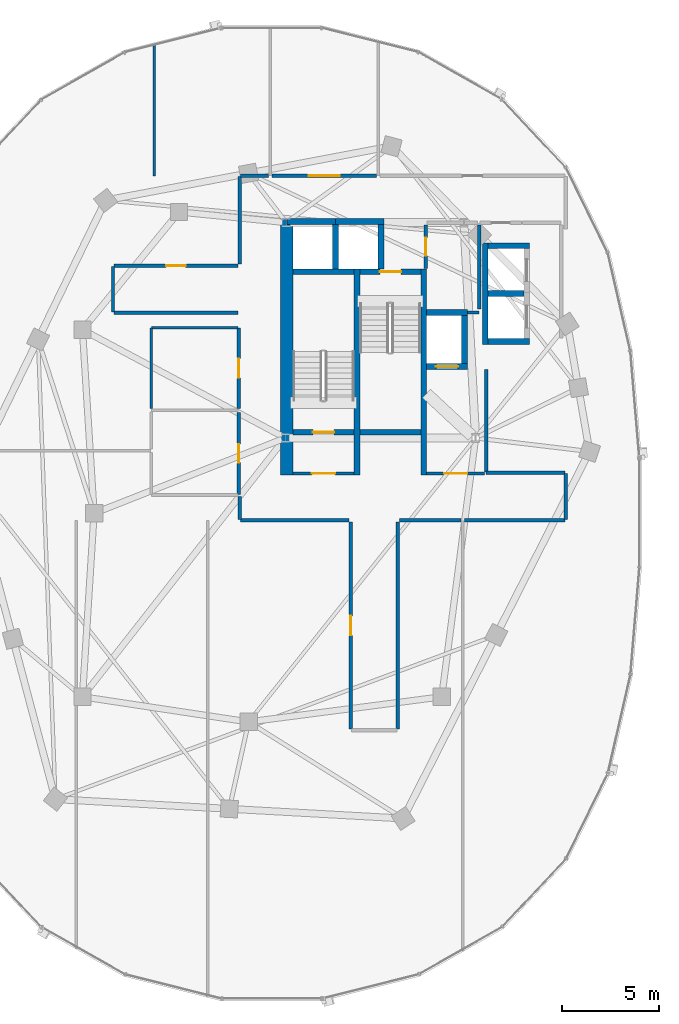
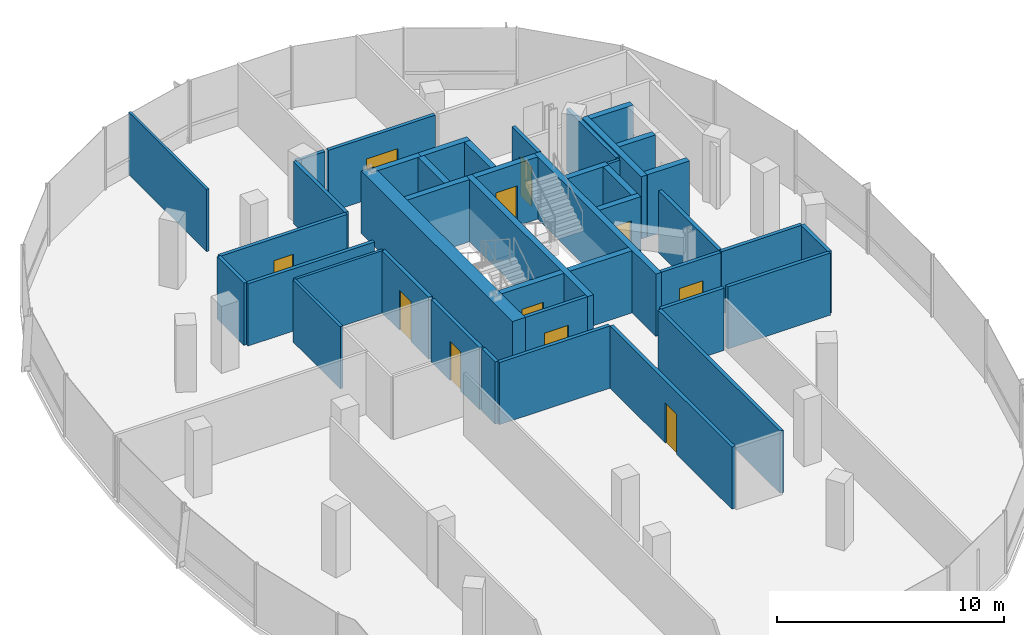
# One storey, part 15 of 25: 43 walls, 11 doors, 11 openings.
"""IFC4 building model written with IfcOpenShell, lengths in metres."""

import ifcopenshell
import ifcopenshell.guid

model = None  # the IFC model being written
_history = None  # IfcOwnerHistory: only IFC2X3 demands one
_inside = {}  # id of a spatial element -> (the spatial element, [elements in it])
_under = {}  # id of a project, library or spatial element -> (it, [spatial elements below it])
_declared = {}  # id of a project -> (the project, [libraries it declares])
_typed = {}  # id of a type object -> (the type object, [elements of that type])
_made_of = {}  # id of a material, layer set ... -> (it, [elements and type objects made of it])


def new_model(schema):
    """Start an empty IFC model of exactly this schema.

    Asked for "IFC4X3", IfcOpenShell would pick the latest addendum, in which some entities
    have other attributes; the version numbers below select the first issue.
    IFC2X3 requires an IfcOwnerHistory on every rooted entity: one is made here for all.
    """
    global model, _history
    if schema == "IFC4X3":
        model = ifcopenshell.file(schema_version=(4, 3, 0, 0))
    else:
        model = ifcopenshell.file(schema=schema)
    _inside.clear()
    _under.clear()
    _declared.clear()
    _typed.clear()
    _made_of.clear()
    _history = None
    if model.schema == "IFC2X3":
        org = make("IfcOrganization", Name="unknown")
        user = make(
            "IfcPersonAndOrganization",
            ThePerson=make("IfcPerson", FamilyName="unknown"),
            TheOrganization=org,
        )
        app = make(
            "IfcApplication",
            ApplicationDeveloper=org,
            Version="unknown",
            ApplicationFullName="unknown",
            ApplicationIdentifier="unknown",
        )
        _history = make(
            "IfcOwnerHistory",
            OwningUser=user,
            OwningApplication=app,
            ChangeAction="ADDED",
            CreationDate=0,
        )
    return model


def make(cls, **values):
    """One entity of the class cls with the attributes given. An attribute that is None is left unset."""
    return model.create_entity(
        cls, **{name: value for name, value in values.items() if value is not None}
    )


def rooted(cls, **values):
    """An entity with a GlobalId (a new one), such as an element, a storey or a relation."""
    return make(cls, GlobalId=ifcopenshell.guid.new(), OwnerHistory=_history, **values)


def si_unit(unit_type, name, prefix=None):
    """IfcSIUnit, for example si_unit("LENGTHUNIT", "METRE", prefix="MILLI")."""
    return make("IfcSIUnit", UnitType=unit_type, Prefix=prefix, Name=name)


def assignment(units):
    """IfcUnitAssignment: the units of a project."""
    return None if units is None else make("IfcUnitAssignment", Units=units)


def point(xyz):
    """IfcCartesianPoint."""
    return None if xyz is None else make("IfcCartesianPoint", Coordinates=xyz)


def direction(xyz):
    """IfcDirection."""
    return None if xyz is None else make("IfcDirection", DirectionRatios=xyz)


def frame(location, z_axis=None, x_axis=None):
    """IfcAxis2Placement3D, a coordinate frame: its origin and axes. An axis left out is left unset."""
    return make(
        "IfcAxis2Placement3D",
        Location=point(location),
        Axis=direction(z_axis),
        RefDirection=direction(x_axis),
    )


def frame_2d(location, x_axis=None):
    """IfcAxis2Placement2D, a coordinate frame in the plane: its origin and x axis."""
    return make(
        "IfcAxis2Placement2D", Location=point(location), RefDirection=direction(x_axis)
    )


def origin():
    """The frame at (0, 0, 0) with its axes left unset."""
    return frame((0.0, 0.0, 0.0))


def place(relative_to, where):
    """IfcLocalPlacement: puts the frame where relative to a parent placement (None: the world)."""
    return make(
        "IfcLocalPlacement", PlacementRelTo=relative_to, RelativePlacement=where
    )


def context(
    kind, dimensions, precision=None, world=None, true_north=None, identifier=None
):
    """IfcGeometricRepresentationContext, for example the 3D "Model" context."""
    return make(
        "IfcGeometricRepresentationContext",
        ContextIdentifier=identifier,
        ContextType=kind,
        CoordinateSpaceDimension=dimensions,
        Precision=precision,
        WorldCoordinateSystem=world,
        TrueNorth=true_north,
    )


def subcontext(parent, identifier, kind, view, scale=None):
    """IfcGeometricRepresentationSubContext, for example "Body" below "Model"."""
    return make(
        "IfcGeometricRepresentationSubContext",
        ContextIdentifier=identifier,
        ContextType=kind,
        ParentContext=parent,
        TargetScale=scale,
        TargetView=view,
    )


def project(units=None, contexts=None):
    """IfcProject with its units and contexts."""
    return rooted(
        "IfcProject",
        Name="project",
        RepresentationContexts=contexts,
        UnitsInContext=assignment(units),
    )


def spatial(cls, under=None, at=None, **own):
    """A site, building, storey or space (cls), placed at a placement, below another one or the project."""
    s = rooted(cls, ObjectPlacement=at, **own)
    if under is not None:
        _under.setdefault(under.id(), (under, []))[1].append(s)
    return s


def profile(cls, at=None, kind="AREA", **sizes):
    """A parametric profile (cls). Its sizes go by their IFC names, for example OverallWidth=200.0."""
    return make(cls, ProfileType=kind, Position=at, **sizes)


def rectangle(**sizes):
    """IfcRectangleProfileDef."""
    return profile("IfcRectangleProfileDef", **sizes)


def extrude(swept, where, along, depth):
    """IfcExtrudedAreaSolid: the profile swept, set in the frame where, extruded along a direction by depth."""
    return make(
        "IfcExtrudedAreaSolid",
        SweptArea=swept,
        Position=where,
        ExtrudedDirection=direction(along),
        Depth=depth,
    )


def shape(context_of_items, identifier, shape_type, items):
    """IfcShapeRepresentation: the items that make up one representation, for example the "Body"."""
    return make(
        "IfcShapeRepresentation",
        ContextOfItems=context_of_items,
        RepresentationIdentifier=identifier,
        RepresentationType=shape_type,
        Items=items,
    )


def material(Name=None, Category=None):
    """IfcMaterial."""
    return make("IfcMaterial", Name=Name, Category=Category)


def layer(
    of_material, thickness, ventilated=None, Name=None, Category=None, Priority=None
):
    """IfcMaterialLayer: one layer of a wall or slab, of a material (None: an air gap)."""
    return make(
        "IfcMaterialLayer",
        Material=of_material,
        LayerThickness=thickness,
        IsVentilated=ventilated,
        Name=Name,
        Category=Category,
        Priority=Priority,
    )


def layer_set(layers, Name=None):
    """IfcMaterialLayerSet."""
    return make("IfcMaterialLayerSet", MaterialLayers=layers, LayerSetName=Name)


def made_of(thing, what):
    """Note that an element or type object is made of a material, layer set ...; save() writes the relation."""
    if what is not None:
        _made_of.setdefault(what.id(), (what, []))[1].append(thing)
    return thing


def type_object(cls, material=None, **own):
    """A type object (cls), such as IfcWallType, which elements share."""
    return made_of(rooted(cls, **own), material)


def element(
    cls,
    number,
    at=None,
    inside=None,
    cuts=None,
    type_object=None,
    material=None,
    context=None,
    identifier="Body",
    shape_type=None,
    held_by="IfcProductDefinitionShape",
    body=None,
    shapes=None,
    **own,
):
    """One element of the class cls, such as IfcWall. Its Tag is "e" and its number.

    at: its placement. inside: the storey or other place that contains it. cuts: it is an
    opening in that element (IfcRelVoidsElement). A single representation is given by context,
    identifier, shape_type and body (its items); several are given by shapes. held_by: the class
    of the entity that holds the representations. save() writes the other relations.
    """
    e = rooted(cls, Tag="e%d" % number, ObjectPlacement=at, **own)
    if body is not None:
        shapes = [shape(context, identifier, shape_type, body)]
    if shapes is not None:
        e.Representation = make(held_by, Representations=shapes)
    if inside is not None:
        _inside.setdefault(inside.id(), (inside, []))[1].append(e)
    if cuts is not None:
        rooted(
            "IfcRelVoidsElement", RelatingBuildingElement=cuts, RelatedOpeningElement=e
        )
    if type_object is not None:
        _typed.setdefault(type_object.id(), (type_object, []))[1].append(e)
    return made_of(e, material)


def fill(opening, filler):
    """IfcRelFillsElement: the door or window that sits in an opening."""
    return rooted(
        "IfcRelFillsElement",
        RelatingOpeningElement=opening,
        RelatedBuildingElement=filler,
    )


def aggregate(whole, parts):
    """IfcRelAggregates: a whole, such as a stair, and the parts it consists of."""
    return rooted("IfcRelAggregates", RelatingObject=whole, RelatedObjects=parts)


def save(model, path):
    """Write the relations noted so far, then the file.

    IfcRelAggregates (storeys below a building ...), IfcRelContainedInSpatialStructure (elements
    in a storey), IfcRelDefinesByType, IfcRelAssociatesMaterial and IfcRelDeclares: one each for
    every whole, place, type object, material and project.
    """
    for whole, parts in _under.values():
        aggregate(whole, parts)
    for where, things in _inside.values():
        rooted(
            "IfcRelContainedInSpatialStructure",
            RelatedElements=things,
            RelatingStructure=where,
        )
    for kind, things in _typed.values():
        rooted("IfcRelDefinesByType", RelatedObjects=things, RelatingType=kind)
    for what, things in _made_of.values():
        rooted("IfcRelAssociatesMaterial", RelatedObjects=things, RelatingMaterial=what)
    for by, libraries in _declared.values():
        rooted("IfcRelDeclares", RelatingContext=by, RelatedDefinitions=libraries)
    model.write(path)


model = new_model("IFC4")

# Units and contexts
model_context = context("Model", 3, precision=1e-05, world=origin(), true_north=direction((0.0, 1.0)))
body_context = subcontext(model_context, "Body", "Model", "MODEL_VIEW")
ifc_project = project(units=[si_unit("LENGTHUNIT", "METRE"), si_unit("AREAUNIT", "SQUARE_METRE"), si_unit("VOLUMEUNIT", "CUBIC_METRE"), si_unit("PLANEANGLEUNIT", "RADIAN"), si_unit("MASSUNIT", "GRAM", prefix="KILO"), si_unit("THERMODYNAMICTEMPERATUREUNIT", "KELVIN"), si_unit("POWERUNIT", "WATT")], contexts=[model_context])

# Site, building, storey
site_placement = place(None, origin())
site = spatial("IfcSite", under=ifc_project, at=site_placement, CompositionType="ELEMENT")
building_placement = place(site_placement, origin())
building = spatial("IfcBuilding", under=site, at=building_placement, Name="Cundina Bronze Exchange", CompositionType="ELEMENT")
storey_placement = place(building_placement, frame((0.0, 0.0, 199.0)))
storey = spatial("IfcBuildingStorey", under=building, at=storey_placement, Name="L52", CompositionType="ELEMENT", Elevation=199.0)

# Wall
ifc_material_1 = material(Name="Gypsum Fireboard Partition EI120")
ifc_layer_1 = layer(ifc_material_1, 0.179931640625, Name="Gypsum Fireboard Partition EI120")
ifc_layer_set_1 = layer_set([ifc_layer_1], Name="Gypsum Fireboard Partition EI120")
wall_type_1 = type_object("IfcWallType", Name="WL-COR-180", PredefinedType="PARTITIONING", material=ifc_layer_set_1)
wall_1_placement = place(storey_placement, frame((-20.889892578125, 2.14990234375, 0.0), z_axis=(0.0, 0.0, 1.0), x_axis=(0.0, 1.0, 0.0)))
element("IfcWall", 1, at=wall_1_placement, inside=storey, type_object=wall_type_1, Name="L52 W Firefighting Lobby Side Wall", PredefinedType="PARTITIONING", context=body_context, shape_type="SweptSolid", body=[
    extrude(rectangle(XDim=5.300048828125, YDim=0.179931640625, at=frame_2d((2.64990234375, 0.0))), origin(), (0.0, 0.0, 1.0), 3.340087890625),
])

# Wall, opening, door
wall_2_placement = place(storey_placement, frame((-23.97998046875, 2.06005859375, 0.0), z_axis=(0.0, 0.0, 1.0), x_axis=(1.0, 0.0, 0.0)))
wall_2 = element("IfcWall", 2, at=wall_2_placement, inside=storey, type_object=wall_type_1, Name="L52 W Firefighting Lobby Exit Wall", PredefinedType="PARTITIONING", context=body_context, shape_type="SweptSolid", body=[
    extrude(rectangle(XDim=3.0, YDim=0.179931640625, at=frame_2d((1.5, 0.0))), origin(), (0.0, 0.0, 1.0), 3.340087890625),
])
opening_1_placement = place(wall_2_placement, frame((0.89990234375, 0.0, 0.0)))
opening_1 = element("IfcOpeningElement", 3, at=opening_1_placement, cuts=wall_2, Name="Opening DF-01", PredefinedType="OPENING", context=body_context, shape_type="SweptSolid", body=[
    extrude(rectangle(XDim=1.199951171875, YDim=2.14990234375, at=frame_2d((0.60009765625, 1.074951171875))), frame((0.0, 0.099853515625, 0.0), z_axis=(0.0, -1.0, 0.0), x_axis=(1.0, 0.0, 0.0)), (0.0, 0.0, 1.0), 0.199951171875),
])
ifc_material_2 = material(Name="Steel ASTM A36 Painted", Category="steel")
door_type_1 = type_object("IfcDoorType", Name="DR-FFL-1200", OperationType="NOTDEFINED", PredefinedType="DOOR", material=ifc_material_2)
door_1_placement = place(opening_1_placement, origin())
door_1 = element("IfcDoor", 4, at=door_1_placement, inside=storey, type_object=door_type_1, Name="L52 W Firefighting Lobby Door", OperationType="SINGLE_SWING_RIGHT", OverallHeight=2.14990234375, OverallWidth=1.199951171875, PredefinedType="DOOR", context=body_context, shape_type="SweptSolid", body=[
    extrude(rectangle(XDim=1.199951171875, YDim=2.14990234375, at=frame_2d((0.60009765625, 1.074951171875))), frame((0.0, 0.02490234375, 0.0), z_axis=(0.0, -1.0, 0.0), x_axis=(1.0, 0.0, 0.0)), (0.0, 0.0, 1.0), 0.050048828125),
])
fill(opening_1, door_1)

wall_3_placement = place(storey_placement, frame((-30.89990234375, 2.06005859375, 0.0), z_axis=(0.0, 0.0, 1.0), x_axis=(1.0, 0.0, 0.0)))
wall_3 = element("IfcWall", 5, at=wall_3_placement, inside=storey, type_object=wall_type_1, Name="L52 W Stair Vestibule Exit Wall", PredefinedType="PARTITIONING", context=body_context, shape_type="SweptSolid", body=[
    extrude(rectangle(XDim=3.159912109375, YDim=0.179931640625, at=frame_2d((1.580078125, 0.0))), origin(), (0.0, 0.0, 1.0), 3.340087890625),
])
opening_2_placement = place(wall_3_placement, frame((0.97998046875, 0.0, 0.0)))
opening_2 = element("IfcOpeningElement", 6, at=opening_2_placement, cuts=wall_3, Name="Opening DF-01", PredefinedType="OPENING", context=body_context, shape_type="SweptSolid", body=[
    extrude(rectangle(XDim=1.199951171875, YDim=2.14990234375, at=frame_2d((0.60009765625, 1.074951171875))), frame((0.0, 0.099853515625, 0.0), z_axis=(0.0, -1.0, 0.0), x_axis=(1.0, 0.0, 0.0)), (0.0, 0.0, 1.0), 0.199951171875),
])
door_2_placement = place(opening_2_placement, origin())
door_2 = element("IfcDoor", 7, at=door_2_placement, inside=storey, type_object=door_type_1, Name="L52 W Stair Vestibule Door", OperationType="SINGLE_SWING_LEFT", OverallHeight=2.14990234375, OverallWidth=1.199951171875, PredefinedType="DOOR", context=body_context, shape_type="SweptSolid", body=[
    extrude(rectangle(XDim=1.199951171875, YDim=2.14990234375, at=frame_2d((0.60009765625, 1.074951171875))), frame((0.0, 0.02490234375, 0.0), z_axis=(0.0, -1.0, 0.0), x_axis=(1.0, 0.0, 0.0)), (0.0, 0.0, 1.0), 0.050048828125),
])
fill(opening_2, door_2)

# Wall
wall_4_placement = place(storey_placement, frame((-21.25, 10.570068359375, 0.0), z_axis=(0.0, 0.0, 1.0), x_axis=(0.0, 1.0, 0.0)))
element("IfcWall", 8, at=wall_4_placement, inside=storey, type_object=wall_type_1, Name="L52 Interior Partition 005", PredefinedType="PARTITIONING", context=body_context, shape_type="SweptSolid", body=[
    extrude(rectangle(XDim=4.35986328125, YDim=0.179931640625, at=frame_2d((2.179931640625, 0.0))), origin(), (0.0, 0.0, 1.0), 3.340087890625),
])

# Wall, opening, door
wall_5_placement = place(storey_placement, frame((-24.02001953125, 12.669921875, 0.0), z_axis=(0.0, 0.0, 1.0), x_axis=(0.0, 1.0, 0.0)))
wall_5 = element("IfcWall", 9, at=wall_5_placement, inside=storey, type_object=wall_type_1, Name="L52 Interior Partition 007", PredefinedType="PARTITIONING", context=body_context, shape_type="SweptSolid", body=[
    extrude(rectangle(XDim=2.260009765625, YDim=0.179931640625, at=frame_2d((1.1298828125, 0.0))), origin(), (0.0, 0.0, 1.0), 3.340087890625),
])
opening_3_placement = place(wall_5_placement, frame((0.655029296875, 0.0, 0.0)))
opening_3 = element("IfcOpeningElement", 10, at=opening_3_placement, cuts=wall_5, Name="Opening DW-01", PredefinedType="OPENING", context=body_context, shape_type="SweptSolid", body=[
    extrude(rectangle(XDim=0.949951171875, YDim=2.10009765625, at=frame_2d((0.47509765625, 1.050048828125))), frame((0.0, 0.099853515625, 0.0), z_axis=(0.0, -1.0, 0.0), x_axis=(1.0, 0.0, 0.0)), (0.0, 0.0, 1.0), 0.199951171875),
])
ifc_material_3 = material(Name="Solid Andean Oak Timber Grade A", Category="wood")
door_type_2 = type_object("IfcDoorType", Name="DR-WC-950", OperationType="NOTDEFINED", PredefinedType="DOOR", material=ifc_material_3)
door_3_placement = place(opening_3_placement, origin())
door_3 = element("IfcDoor", 11, at=door_3_placement, inside=storey, type_object=door_type_2, Name="L52 Interior Door 007", OperationType="SINGLE_SWING_LEFT", OverallHeight=2.10009765625, OverallWidth=0.949951171875, PredefinedType="DOOR", context=body_context, shape_type="SweptSolid", body=[
    extrude(rectangle(XDim=0.949951171875, YDim=2.10009765625, at=frame_2d((0.47509765625, 1.050048828125))), frame((0.0, 0.02490234375, 0.0), z_axis=(0.0, -1.0, 0.0), x_axis=(1.0, 0.0, 0.0)), (0.0, 0.0, 1.0), 0.050048828125),
])
fill(opening_3, door_3)

wall_6_placement = place(storey_placement, frame((-33.719970703125, 0.969970703125, 0.0), z_axis=(0.0, 0.0, 1.0), x_axis=(0.0, 1.0, 0.0)))
wall_6 = element("IfcWall", 12, at=wall_6_placement, inside=storey, type_object=wall_type_1, Name="L52 Interior Partition 014", PredefinedType="PARTITIONING", context=body_context, shape_type="SweptSolid", body=[
    extrude(rectangle(XDim=4.260009765625, YDim=0.179931640625, at=frame_2d((2.1298828125, 0.0))), origin(), (0.0, 0.0, 1.0), 3.340087890625),
])
opening_4_placement = place(wall_6_placement, frame((1.655029296875, 0.0, 0.0)))
opening_4 = element("IfcOpeningElement", 13, at=opening_4_placement, cuts=wall_6, Name="Opening DW-01", PredefinedType="OPENING", context=body_context, shape_type="SweptSolid", body=[
    extrude(rectangle(XDim=0.949951171875, YDim=2.10009765625, at=frame_2d((0.47509765625, 1.050048828125))), frame((0.0, 0.099853515625, 0.0), z_axis=(0.0, -1.0, 0.0), x_axis=(1.0, 0.0, 0.0)), (0.0, 0.0, 1.0), 0.199951171875),
])
door_4_placement = place(opening_4_placement, origin())
door_4 = element("IfcDoor", 14, at=door_4_placement, inside=storey, type_object=door_type_2, Name="L52 Interior Door 014", OperationType="SINGLE_SWING_LEFT", OverallHeight=2.10009765625, OverallWidth=0.949951171875, PredefinedType="DOOR", context=body_context, shape_type="SweptSolid", body=[
    extrude(rectangle(XDim=0.949951171875, YDim=2.10009765625, at=frame_2d((0.47509765625, 1.050048828125))), frame((0.0, 0.02490234375, 0.0), z_axis=(0.0, -1.0, 0.0), x_axis=(1.0, 0.0, 0.0)), (0.0, 0.0, 1.0), 0.050048828125),
])
fill(opening_4, door_4)

wall_7_placement = place(storey_placement, frame((-33.719970703125, 5.429931640625, 0.0), z_axis=(0.0, 0.0, 1.0), x_axis=(0.0, 1.0, 0.0)))
wall_7 = element("IfcWall", 15, at=wall_7_placement, inside=storey, type_object=wall_type_1, Name="L52 Interior Partition 015", PredefinedType="PARTITIONING", context=body_context, shape_type="SweptSolid", body=[
    extrude(rectangle(XDim=4.16015625, YDim=0.179931640625, at=frame_2d((2.080078125, 0.0))), origin(), (0.0, 0.0, 1.0), 3.340087890625),
])
opening_5_placement = place(wall_7_placement, frame((1.580078125, 0.0, 0.0)))
opening_5 = element("IfcOpeningElement", 16, at=opening_5_placement, cuts=wall_7, Name="Opening DO-01", PredefinedType="OPENING", context=body_context, shape_type="SweptSolid", body=[
    extrude(rectangle(XDim=1.0, YDim=2.14990234375, at=frame_2d((0.5, 1.074951171875))), frame((0.0, 0.099853515625, 0.0), z_axis=(0.0, -1.0, 0.0), x_axis=(1.0, 0.0, 0.0)), (0.0, 0.0, 1.0), 0.199951171875),
])
door_type_3 = type_object("IfcDoorType", Name="DR-OFF-1000", OperationType="NOTDEFINED", PredefinedType="DOOR", material=ifc_material_3)
door_5_placement = place(opening_5_placement, origin())
door_5 = element("IfcDoor", 17, at=door_5_placement, inside=storey, type_object=door_type_3, Name="L52 Interior Door 015", OperationType="SINGLE_SWING_LEFT", OverallHeight=2.14990234375, OverallWidth=1.0, PredefinedType="DOOR", context=body_context, shape_type="SweptSolid", body=[
    extrude(rectangle(XDim=1.0, YDim=2.14990234375, at=frame_2d((0.5, 1.074951171875))), frame((0.0, 0.02490234375, 0.0), z_axis=(0.0, -1.0, 0.0), x_axis=(1.0, 0.0, 0.0)), (0.0, 0.0, 1.0), 0.050048828125),
])
fill(opening_5, door_5)

wall_8_placement = place(storey_placement, frame((-27.919921875, -0.449951171875, 0.0), z_axis=(0.0, 0.0, 1.0), x_axis=(0.0, -1.0, 0.0)))
wall_8 = element("IfcWall", 18, at=wall_8_placement, inside=storey, type_object=wall_type_1, Name="L52 Interior Partition 023", PredefinedType="PARTITIONING", context=body_context, shape_type="SweptSolid", body=[
    extrude(rectangle(XDim=10.728515625, YDim=0.179931640625, at=frame_2d((5.3642578125, 0.0))), origin(), (0.0, 0.0, 1.0), 3.340087890625),
])
opening_6_placement = place(wall_8_placement, frame((4.8642578125, 0.0, 0.0)))
opening_6 = element("IfcOpeningElement", 19, at=opening_6_placement, cuts=wall_8, Name="Opening DO-01", PredefinedType="OPENING", context=body_context, shape_type="SweptSolid", body=[
    extrude(rectangle(XDim=1.0, YDim=2.14990234375, at=frame_2d((0.5, 1.074951171875))), frame((0.0, 0.099853515625, 0.0), z_axis=(0.0, -1.0, 0.0), x_axis=(1.0, 0.0, 0.0)), (0.0, 0.0, 1.0), 0.199951171875),
])
door_6_placement = place(opening_6_placement, origin())
door_6 = element("IfcDoor", 20, at=door_6_placement, inside=storey, type_object=door_type_3, Name="L52 Interior Door 023", OperationType="SINGLE_SWING_LEFT", OverallHeight=2.14990234375, OverallWidth=1.0, PredefinedType="DOOR", context=body_context, shape_type="SweptSolid", body=[
    extrude(rectangle(XDim=1.0, YDim=2.14990234375, at=frame_2d((0.5, 1.074951171875))), frame((0.0, 0.02490234375, 0.0), z_axis=(0.0, -1.0, 0.0), x_axis=(1.0, 0.0, 0.0)), (0.0, 0.0, 1.0), 0.050048828125),
])
fill(opening_6, door_6)

# Walls
wall_9_placement = place(storey_placement, frame((-25.47998046875, -11.178466796875, 0.0), z_axis=(0.0, 0.0, 1.0), x_axis=(0.0, 1.0, 0.0)))
element("IfcWall", 21, at=wall_9_placement, inside=storey, type_object=wall_type_1, Name="L52 Interior Partition 024", PredefinedType="PARTITIONING", context=body_context, shape_type="SweptSolid", body=[
    extrude(rectangle(XDim=10.728515625, YDim=0.179931640625, at=frame_2d((5.3642578125, 0.0))), origin(), (0.0, 0.0, 1.0), 3.340087890625),
])
wall_10_placement = place(storey_placement, frame((-33.62841796875, -0.3701171875, 0.0), z_axis=(0.0, 0.0, 1.0), x_axis=(1.0, 0.0, 0.0)))
element("IfcWall", 22, at=wall_10_placement, inside=storey, type_object=wall_type_1, Name="L52 Interior Partition 025", PredefinedType="PARTITIONING", context=body_context, shape_type="SweptSolid", body=[
    extrude(rectangle(XDim=5.62841796875, YDim=0.179931640625, at=frame_2d((2.814208984375, 0.0))), origin(), (0.0, 0.0, 1.0), 3.340087890625),
])
wall_11_placement = place(storey_placement, frame((-25.39990234375, -0.3701171875, 0.0), z_axis=(0.0, 0.0, 1.0), x_axis=(1.0, 0.0, 0.0)))
element("IfcWall", 23, at=wall_11_placement, inside=storey, type_object=wall_type_1, Name="L52 Interior Partition 026", PredefinedType="PARTITIONING", context=body_context, shape_type="SweptSolid", body=[
    extrude(rectangle(XDim=3.18994140625, YDim=0.179931640625, at=frame_2d((1.594970703125, 0.0))), origin(), (0.0, 0.0, 1.0), 3.340087890625),
])
wall_12_placement = place(storey_placement, frame((-33.669921875, 0.858642578125, 0.0), z_axis=(0.0, 0.0, 1.0), x_axis=(0.0, -1.0, 0.0)))
element("IfcWall", 24, at=wall_12_placement, inside=storey, type_object=wall_type_1, Name="L52 Interior Partition 028", PredefinedType="PARTITIONING", context=body_context, shape_type="SweptSolid", body=[
    extrude(rectangle(XDim=1.187255859375, YDim=0.179931640625, at=frame_2d((0.59375, 0.0))), origin(), (0.0, 0.0, 1.0), 3.340087890625),
])
wall_13_placement = place(storey_placement, frame((-22.030029296875, -0.3701171875, 0.0), z_axis=(0.0, 0.0, 1.0), x_axis=(1.0, 0.0, 0.0)))
element("IfcWall", 25, at=wall_13_placement, inside=storey, type_object=wall_type_1, Name="L52 Interior Partition 030", PredefinedType="PARTITIONING", context=body_context, shape_type="SweptSolid", body=[
    extrude(rectangle(XDim=5.20849609375, YDim=0.179931640625, at=frame_2d((2.604248046875, 0.0))), origin(), (0.0, 0.0, 1.0), 3.340087890625),
])
wall_14_placement = place(storey_placement, frame((-16.821533203125, 2.10009765625, 0.0), z_axis=(0.0, 0.0, 1.0), x_axis=(-1.0, 0.0, 0.0)))
element("IfcWall", 26, at=wall_14_placement, inside=storey, type_object=wall_type_1, Name="L52 Interior Partition 031", PredefinedType="PARTITIONING", context=body_context, shape_type="SweptSolid", body=[
    extrude(rectangle(XDim=4.098388671875, YDim=0.179931640625, at=frame_2d((2.04931640625, 0.0))), origin(), (0.0, 0.0, 1.0), 3.340087890625),
])
wall_15_placement = place(storey_placement, frame((-16.780029296875, -0.32861328125, 0.0), z_axis=(0.0, 0.0, 1.0), x_axis=(0.0, 1.0, 0.0)))
element("IfcWall", 27, at=wall_15_placement, inside=storey, type_object=wall_type_1, Name="L52 Interior Partition 033", PredefinedType="PARTITIONING", context=body_context, shape_type="SweptSolid", body=[
    extrude(rectangle(XDim=2.38720703125, YDim=0.179931640625, at=frame_2d((1.193603515625, 0.0))), origin(), (0.0, 0.0, 1.0), 3.340087890625),
])

# Wall, opening, door
wall_16_placement = place(storey_placement, frame((-33.75, 12.820068359375, 0.0), z_axis=(0.0, 0.0, 1.0), x_axis=(-1.0, 0.0, 0.0)))
wall_16 = element("IfcWall", 28, at=wall_16_placement, inside=storey, type_object=wall_type_1, Name="L52 Interior Partition 034", PredefinedType="PARTITIONING", context=body_context, shape_type="SweptSolid", body=[
    extrude(rectangle(XDim=6.428466796875, YDim=0.179931640625, at=frame_2d((3.21435546875, 0.0))), origin(), (0.0, 0.0, 1.0), 3.340087890625),
])
opening_7_placement = place(wall_16_placement, frame((2.714111328125, 0.0, 0.0)))
opening_7 = element("IfcOpeningElement", 29, at=opening_7_placement, cuts=wall_16, Name="Opening DO-01", PredefinedType="OPENING", context=body_context, shape_type="SweptSolid", body=[
    extrude(rectangle(XDim=1.0, YDim=2.14990234375, at=frame_2d((0.5, 1.074951171875))), frame((0.0, 0.099853515625, 0.0), z_axis=(0.0, -1.0, 0.0), x_axis=(1.0, 0.0, 0.0)), (0.0, 0.0, 1.0), 0.199951171875),
])
door_7_placement = place(opening_7_placement, origin())
door_7 = element("IfcDoor", 30, at=door_7_placement, inside=storey, type_object=door_type_3, Name="L52 Interior Door 034", OperationType="SINGLE_SWING_LEFT", OverallHeight=2.14990234375, OverallWidth=1.0, PredefinedType="DOOR", context=body_context, shape_type="SweptSolid", body=[
    extrude(rectangle(XDim=1.0, YDim=2.14990234375, at=frame_2d((0.5, 1.074951171875))), frame((0.0, 0.02490234375, 0.0), z_axis=(0.0, -1.0, 0.0), x_axis=(1.0, 0.0, 0.0)), (0.0, 0.0, 1.0), 0.050048828125),
])
fill(opening_7, door_7)

# Walls
wall_17_placement = place(storey_placement, frame((-40.178466796875, 10.3798828125, 0.0), z_axis=(0.0, 0.0, 1.0), x_axis=(1.0, 0.0, 0.0)))
element("IfcWall", 31, at=wall_17_placement, inside=storey, type_object=wall_type_1, Name="L52 Interior Partition 035", PredefinedType="PARTITIONING", context=body_context, shape_type="SweptSolid", body=[
    extrude(rectangle(XDim=6.428466796875, YDim=0.179931640625, at=frame_2d((3.21435546875, 0.0))), origin(), (0.0, 0.0, 1.0), 3.340087890625),
])
wall_18_placement = place(storey_placement, frame((-33.669921875, 17.428466796875, 0.0), z_axis=(0.0, 0.0, 1.0), x_axis=(0.0, -1.0, 0.0)))
element("IfcWall", 32, at=wall_18_placement, inside=storey, type_object=wall_type_1, Name="L52 Interior Partition 036", PredefinedType="PARTITIONING", context=body_context, shape_type="SweptSolid", body=[
    extrude(rectangle(XDim=4.528564453125, YDim=0.179931640625, at=frame_2d((2.26416015625, 0.0))), origin(), (0.0, 0.0, 1.0), 3.340087890625),
])
wall_19_placement = place(storey_placement, frame((-40.219970703125, 12.778564453125, 0.0), z_axis=(0.0, 0.0, 1.0), x_axis=(0.0, -1.0, 0.0)))
element("IfcWall", 33, at=wall_19_placement, inside=storey, type_object=wall_type_1, Name="L52 Interior Partition 037", PredefinedType="PARTITIONING", context=body_context, shape_type="SweptSolid", body=[
    extrude(rectangle(XDim=2.357177734375, YDim=0.179931640625, at=frame_2d((1.1787109375, 0.0))), origin(), (0.0, 0.0, 1.0), 3.340087890625),
])
wall_20_placement = place(storey_placement, frame((-32.169921875, 17.469970703125, 0.0), z_axis=(0.0, 0.0, 1.0), x_axis=(-1.0, 0.0, 0.0)))
element("IfcWall", 34, at=wall_20_placement, inside=storey, type_object=wall_type_1, Name="L52 Interior Partition 038", PredefinedType="PARTITIONING", context=body_context, shape_type="SweptSolid", body=[
    extrude(rectangle(XDim=1.45849609375, YDim=0.179931640625, at=frame_2d((0.729248046875, 0.0))), origin(), (0.0, 0.0, 1.0), 3.340087890625),
])

# Wall, opening, door
wall_21_placement = place(storey_placement, frame((-26.570068359375, 17.469970703125, 0.0), z_axis=(0.0, 0.0, 1.0), x_axis=(-1.0, 0.0, 0.0)))
wall_21 = element("IfcWall", 35, at=wall_21_placement, inside=storey, type_object=wall_type_1, Name="L52 Interior Partition 039", PredefinedType="PARTITIONING", context=body_context, shape_type="SweptSolid", body=[
    extrude(rectangle(XDim=5.419921875, YDim=0.179931640625, at=frame_2d((2.7099609375, 0.0))), origin(), (0.0, 0.0, 1.0), 3.340087890625),
])
opening_8_placement = place(wall_21_placement, frame((1.909912109375, 0.0, 0.0)))
opening_8 = element("IfcOpeningElement", 36, at=opening_8_placement, cuts=wall_21, Name="Opening DO-02", PredefinedType="OPENING", context=body_context, shape_type="SweptSolid", body=[
    extrude(rectangle(XDim=1.60009765625, YDim=2.199951171875, at=frame_2d((0.800048828125, 1.10009765625))), frame((0.0, 0.099853515625, 0.0), z_axis=(0.0, -1.0, 0.0), x_axis=(1.0, 0.0, 0.0)), (0.0, 0.0, 1.0), 0.199951171875),
])
door_type_4 = type_object("IfcDoorType", Name="DR-TRD-1600", OperationType="NOTDEFINED", PredefinedType="DOOR", material=ifc_material_3)
door_8_placement = place(opening_8_placement, origin())
door_8 = element("IfcDoor", 37, at=door_8_placement, inside=storey, type_object=door_type_4, Name="L52 Interior Door 039", OperationType="SINGLE_SWING_RIGHT", OverallHeight=2.199951171875, OverallWidth=1.60009765625, PredefinedType="DOOR", context=body_context, shape_type="SweptSolid", body=[
    extrude(rectangle(XDim=1.60009765625, YDim=2.199951171875, at=frame_2d((0.800048828125, 1.10009765625))), frame((0.0, 0.02490234375, 0.0), z_axis=(0.0, -1.0, 0.0), x_axis=(1.0, 0.0, 0.0)), (0.0, 0.0, 1.0), 0.050048828125),
])
fill(opening_8, door_8)

# Walls
ifc_material_4 = material(Name="Concrete C50/60", Category="concrete")
ifc_layer_2 = layer(ifc_material_4, 0.64990234375, Name="Concrete C50/60", Category="concrete")
ifc_layer_set_2 = layer_set([ifc_layer_2], Name="Concrete C50/60")
wall_type_2 = type_object("IfcWallType", Name="WL-CORE-650", PredefinedType="SHEAR", material=ifc_layer_set_2)
wall_22_placement = place(storey_placement, frame((-31.22509765625, 1.969970703125, 0.0), z_axis=(0.0, 0.0, 1.0), x_axis=(0.0, 1.0, 0.0)))
element("IfcWall", 38, at=wall_22_placement, inside=storey, type_object=wall_type_2, Name="L52 W Primary Core Shear Spine Wall", PredefinedType="SHEAR", context=body_context, shape_type="SweptSolid", body=[
    extrude(rectangle(XDim=13.330078125, YDim=0.64990234375, at=frame_2d((6.6650390625, 0.0))), origin(), (0.0, 0.0, 1.0), 3.340087890625),
])
ifc_material_5 = material(Name="Gypsum Acoustic Partition EI60")
ifc_layer_3 = layer(ifc_material_5, 0.125, Name="Gypsum Acoustic Partition EI60")
ifc_layer_set_3 = layer_set([ifc_layer_3], Name="Gypsum Acoustic Partition EI60")
wall_type_3 = type_object("IfcWallType", Name="WL-OFF-125", PredefinedType="PARTITIONING", material=ifc_layer_set_3)
wall_23_placement = place(storey_placement, frame((-38.080078125, 17.469970703125, 0.0), z_axis=(0.0, 0.0, 1.0), x_axis=(0.0, 1.0, 0.0)))
element("IfcWall", 39, at=wall_23_placement, inside=storey, type_object=wall_type_3, Name="L52 Interior Partition 020", PredefinedType="PARTITIONING", context=body_context, shape_type="SweptSolid", body=[
    extrude(rectangle(XDim=6.85009765625, YDim=0.125, at=frame_2d((3.425048828125, 0.0))), origin(), (0.0, 0.0, 1.0), 3.340087890625),
])
ifc_layer_4 = layer(ifc_material_4, 0.300048828125, Name="Concrete C50/60", Category="concrete")
ifc_layer_set_4 = layer_set([ifc_layer_4], Name="Concrete C50/60")
wall_type_4 = type_object("IfcWallType", Name="WL-SHFT-300", PredefinedType="SHEAR", material=ifc_layer_set_4)
for number, where, z_axis, x_axis, name in (
    (40, (-27.590087890625, 1.969970703125, 0.0), (0.0, 0.0, 1.0), (0.0, 1.0, 0.0), "L52 W Stair Shaft Dividing Shear Wall"),
    (41, (-24.1298828125, 1.969970703125, 0.0), (0.0, 0.0, 1.0), (0.0, 1.0, 0.0), "L52 W Stair 2 East Shear Wall"),
):
    element("IfcWall", number, at=place(storey_placement, frame(where, z_axis=z_axis, x_axis=x_axis)), inside=storey, type_object=wall_type_4, Name=name, PredefinedType="SHEAR", context=body_context, shape_type="SweptSolid", body=[
        extrude(rectangle(XDim=10.679931640625, YDim=0.300048828125, at=frame_2d((5.33984375, 0.0))), origin(), (0.0, 0.0, 1.0), 3.340087890625),
    ])

# Wall, opening, door
wall_24_placement = place(storey_placement, frame((-30.89990234375, 4.199951171875, 0.0), z_axis=(0.0, 0.0, 1.0), x_axis=(1.0, 0.0, 0.0)))
wall_24 = element("IfcWall", 42, at=wall_24_placement, inside=storey, type_object=wall_type_4, Name="L52 Stair W1 Landing Wall", PredefinedType="SHEAR", context=body_context, shape_type="SweptSolid", body=[
    extrude(rectangle(XDim=3.159912109375, YDim=0.300048828125, at=frame_2d((1.580078125, 0.0))), origin(), (0.0, 0.0, 1.0), 3.340087890625),
])
opening_9_placement = place(wall_24_placement, frame((1.030029296875, 0.0, 0.0)))
opening_9 = element("IfcOpeningElement", 43, at=opening_9_placement, cuts=wall_24, Name="Opening DS-01", PredefinedType="OPENING", context=body_context, shape_type="SweptSolid", body=[
    extrude(rectangle(XDim=1.10009765625, YDim=2.14990234375, at=frame_2d((0.550048828125, 1.074951171875))), frame((0.0, 0.159912109375, 0.0), z_axis=(0.0, -1.0, 0.0), x_axis=(1.0, 0.0, 0.0)), (0.0, 0.0, 1.0), 0.320068359375),
])
door_type_5 = type_object("IfcDoorType", Name="DR-STR-1100", OperationType="NOTDEFINED", PredefinedType="DOOR", material=ifc_material_2)
door_9_placement = place(opening_9_placement, origin())
door_9 = element("IfcDoor", 44, at=door_9_placement, inside=storey, type_object=door_type_5, Name="L52 Smokeproof Stair W1 Door", OperationType="SINGLE_SWING_RIGHT", OverallHeight=2.14990234375, OverallWidth=1.10009765625, PredefinedType="DOOR", context=body_context, shape_type="SweptSolid", body=[
    extrude(rectangle(XDim=1.10009765625, YDim=2.14990234375, at=frame_2d((0.550048828125, 1.074951171875))), frame((0.0, 0.02490234375, 0.0), z_axis=(0.0, -1.0, 0.0), x_axis=(1.0, 0.0, 0.0)), (0.0, 0.0, 1.0), 0.050048828125),
])
fill(opening_9, door_9)

# Wall
wall_25_placement = place(storey_placement, frame((-30.89990234375, 12.5, 0.0), z_axis=(0.0, 0.0, 1.0), x_axis=(1.0, 0.0, 0.0)))
element("IfcWall", 45, at=wall_25_placement, inside=storey, type_object=wall_type_4, Name="L52 Stair W1 Far Shaft Wall", PredefinedType="SHEAR", context=body_context, shape_type="SweptSolid", body=[
    extrude(rectangle(XDim=3.159912109375, YDim=0.300048828125, at=frame_2d((1.580078125, 0.0))), origin(), (0.0, 0.0, 1.0), 3.340087890625),
])

# Wall, opening, door
wall_26_placement = place(storey_placement, frame((-27.43994140625, 12.5, 0.0), z_axis=(0.0, 0.0, 1.0), x_axis=(1.0, 0.0, 0.0)))
wall_26 = element("IfcWall", 46, at=wall_26_placement, inside=storey, type_object=wall_type_4, Name="L52 Stair W2 Landing Wall", PredefinedType="SHEAR", context=body_context, shape_type="SweptSolid", body=[
    extrude(rectangle(XDim=3.159912109375, YDim=0.300048828125, at=frame_2d((1.580078125, 0.0))), origin(), (0.0, 0.0, 1.0), 3.340087890625),
])
opening_10_placement = place(wall_26_placement, frame((1.030029296875, 0.0, 0.0)))
opening_10 = element("IfcOpeningElement", 47, at=opening_10_placement, cuts=wall_26, Name="Opening DS-01", PredefinedType="OPENING", context=body_context, shape_type="SweptSolid", body=[
    extrude(rectangle(XDim=1.10009765625, YDim=2.14990234375, at=frame_2d((0.550048828125, 1.074951171875))), frame((0.0, 0.159912109375, 0.0), z_axis=(0.0, -1.0, 0.0), x_axis=(1.0, 0.0, 0.0)), (0.0, 0.0, 1.0), 0.320068359375),
])
door_10_placement = place(opening_10_placement, origin())
door_10 = element("IfcDoor", 48, at=door_10_placement, inside=storey, type_object=door_type_5, Name="L52 Smokeproof Stair W2 Door", OperationType="SINGLE_SWING_LEFT", OverallHeight=2.14990234375, OverallWidth=1.10009765625, PredefinedType="DOOR", context=body_context, shape_type="SweptSolid", body=[
    extrude(rectangle(XDim=1.10009765625, YDim=2.14990234375, at=frame_2d((0.550048828125, 1.074951171875))), frame((0.0, 0.02490234375, 0.0), z_axis=(0.0, -1.0, 0.0), x_axis=(1.0, 0.0, 0.0)), (0.0, 0.0, 1.0), 0.050048828125),
])
fill(opening_10, door_10)

# Wall
wall_27_placement = place(storey_placement, frame((-27.43994140625, 4.199951171875, 0.0), z_axis=(0.0, 0.0, 1.0), x_axis=(1.0, 0.0, 0.0)))
element("IfcWall", 49, at=wall_27_placement, inside=storey, type_object=wall_type_4, Name="L52 Stair W2 Far Shaft Wall", PredefinedType="SHEAR", context=body_context, shape_type="SweptSolid", body=[
    extrude(rectangle(XDim=3.159912109375, YDim=0.300048828125, at=frame_2d((1.580078125, 0.0))), origin(), (0.0, 0.0, 1.0), 3.340087890625),
])

# Wall, opening, door
wall_28_placement = place(storey_placement, frame((-23.97998046875, 7.60009765625, 0.0), z_axis=(0.0, 0.0, 1.0), x_axis=(1.0, 0.0, 0.0)))
wall_28 = element("IfcWall", 50, at=wall_28_placement, inside=storey, type_object=wall_type_4, Name="L52 FFL-W Hoistway Front Wall", PredefinedType="SHEAR", context=body_context, shape_type="SweptSolid", body=[
    extrude(rectangle(XDim=2.10009765625, YDim=0.300048828125, at=frame_2d((1.050048828125, 0.0))), origin(), (0.0, 0.0, 1.0), 3.340087890625),
])
opening_11_placement = place(wall_28_placement, frame((0.47509765625, 0.0, 0.0)))
opening_11 = element("IfcOpeningElement", 51, at=opening_11_placement, cuts=wall_28, Name="Opening LD-01", PredefinedType="OPENING", context=body_context, shape_type="SweptSolid", body=[
    extrude(rectangle(XDim=1.14990234375, YDim=2.199951171875, at=frame_2d((0.574951171875, 1.10009765625))), frame((0.0, 0.159912109375, 0.0), z_axis=(0.0, -1.0, 0.0), x_axis=(1.0, 0.0, 0.0)), (0.0, 0.0, 1.0), 0.320068359375),
])
door_type_6 = type_object("IfcDoorType", Name="DR-LND-1150", OperationType="NOTDEFINED", PredefinedType="TRAPDOOR", material=ifc_material_2)
door_11_placement = place(opening_11_placement, origin())
door_11 = element("IfcDoor", 52, at=door_11_placement, inside=storey, type_object=door_type_6, Name="L52 FFL-W Sliding Landing Door", OperationType="SLIDING_TO_LEFT", OverallHeight=2.199951171875, OverallWidth=1.14990234375, PredefinedType="TRAPDOOR", context=body_context, shape_type="SweptSolid", body=[
    extrude(rectangle(XDim=1.14990234375, YDim=2.199951171875, at=frame_2d((0.574951171875, 1.10009765625))), frame((0.0, 0.02490234375, 0.0), z_axis=(0.0, -1.0, 0.0), x_axis=(1.0, 0.0, 0.0)), (0.0, 0.0, 1.0), 0.050048828125),
])
fill(opening_11, door_11)

# Walls
wall_29_placement = place(storey_placement, frame((-23.97998046875, 10.39990234375, 0.0), z_axis=(0.0, 0.0, 1.0), x_axis=(1.0, 0.0, 0.0)))
element("IfcWall", 53, at=wall_29_placement, inside=storey, type_object=wall_type_4, Name="L52 FFL-W Hoistway Back Wall", PredefinedType="SHEAR", context=body_context, shape_type="SweptSolid", body=[
    extrude(rectangle(XDim=2.10009765625, YDim=0.300048828125, at=frame_2d((1.050048828125, 0.0))), origin(), (0.0, 0.0, 1.0), 3.340087890625),
])
for number, where, z_axis, x_axis, name in (
    (54, (-22.030029296875, 7.75, 0.0), (0.0, 0.0, 1.0), (0.0, 1.0, 0.0), "L52 FFL-W Hoistway Side Wall"),
    (55, (-31.199951171875, 15.10009765625, 0.0), (0.0, 0.0, 1.0), (1.0, 0.0, 0.0), "L52 PH-W1 Hoistway Front Wall"),
):
    element("IfcWall", number, at=place(storey_placement, frame(where, z_axis=z_axis, x_axis=x_axis)), inside=storey, type_object=wall_type_4, Name=name, PredefinedType="SHEAR", context=body_context, shape_type="SweptSolid", body=[
        extrude(rectangle(XDim=2.5, YDim=0.300048828125, at=frame_2d((1.25, 0.0))), origin(), (0.0, 0.0, 1.0), 3.340087890625),
    ])
wall_30_placement = place(storey_placement, frame((-28.699951171875, 12.64990234375, 0.0), z_axis=(0.0, 0.0, 1.0), x_axis=(0.0, 1.0, 0.0)))
element("IfcWall", 56, at=wall_30_placement, inside=storey, type_object=wall_type_4, Name="L52 PH-W1 Hoistway Divider Wall", PredefinedType="SHEAR", context=body_context, shape_type="SweptSolid", body=[
    extrude(rectangle(XDim=2.300048828125, YDim=0.300048828125, at=frame_2d((1.14990234375, 0.0))), origin(), (0.0, 0.0, 1.0), 3.340087890625),
])
wall_31_placement = place(storey_placement, frame((-28.699951171875, 15.10009765625, 0.0), z_axis=(0.0, 0.0, 1.0), x_axis=(1.0, 0.0, 0.0)))
element("IfcWall", 57, at=wall_31_placement, inside=storey, type_object=wall_type_4, Name="L52 PH-W2 Hoistway Front Wall", PredefinedType="SHEAR", context=body_context, shape_type="SweptSolid", body=[
    extrude(rectangle(XDim=2.5, YDim=0.300048828125, at=frame_2d((1.25, 0.0))), origin(), (0.0, 0.0, 1.0), 3.340087890625),
])
wall_32_placement = place(storey_placement, frame((-26.35009765625, 12.64990234375, 0.0), z_axis=(0.0, 0.0, 1.0), x_axis=(0.0, 1.0, 0.0)))
element("IfcWall", 58, at=wall_32_placement, inside=storey, type_object=wall_type_4, Name="L52 PH-W2 Hoistway Divider Wall", PredefinedType="SHEAR", context=body_context, shape_type="SweptSolid", body=[
    extrude(rectangle(XDim=2.300048828125, YDim=0.300048828125, at=frame_2d((1.14990234375, 0.0))), origin(), (0.0, 0.0, 1.0), 3.340087890625),
])
wall_33_placement = place(storey_placement, frame((-20.949951171875, 8.75, 0.0), z_axis=(0.0, 0.0, 1.0), x_axis=(0.0, 1.0, 0.0)))
element("IfcWall", 59, at=wall_33_placement, inside=storey, type_object=wall_type_4, Name="L52 W Passenger Bank Hoistway Back Wall", PredefinedType="SHEAR", context=body_context, shape_type="SweptSolid", body=[
    extrude(rectangle(XDim=5.25, YDim=0.300048828125, at=frame_2d((2.625, 0.0))), origin(), (0.0, 0.0, 1.0), 3.340087890625),
])
for number, where, z_axis, x_axis, name in (
    (60, (-20.800048828125, 8.89990234375, 0.0), (0.0, 0.0, 1.0), (1.0, 0.0, 0.0), "L52 W Passenger Bank South Cap Wall"),
    (61, (-20.800048828125, 13.85009765625, 0.0), (0.0, 0.0, 1.0), (1.0, 0.0, 0.0), "L52 W Passenger Bank North Cap Wall"),
):
    element("IfcWall", number, at=place(storey_placement, frame(where, z_axis=z_axis, x_axis=x_axis)), inside=storey, type_object=wall_type_4, Name=name, PredefinedType="SHEAR", context=body_context, shape_type="SweptSolid", body=[
        extrude(rectangle(XDim=2.150146484375, YDim=0.300048828125, at=frame_2d((1.0751953125, 0.0))), origin(), (0.0, 0.0, 1.0), 3.340087890625),
    ])
wall_34_placement = place(storey_placement, frame((-20.800048828125, 11.375, 0.0), z_axis=(0.0, 0.0, 1.0), x_axis=(1.0, 0.0, 0.0)))
element("IfcWall", 62, at=wall_34_placement, inside=storey, type_object=wall_type_4, Name="L52 W Passenger Hoistway Divider 1", PredefinedType="SHEAR", context=body_context, shape_type="SweptSolid", body=[
    extrude(rectangle(XDim=1.85009765625, YDim=0.300048828125, at=frame_2d((0.925048828125, 0.0))), origin(), (0.0, 0.0, 1.0), 3.340087890625),
])
ifc_material_6 = material(Name="Moisture-Resistant Masonry Block Grade M15", Category="masonry")
ifc_layer_5 = layer(ifc_material_6, 0.139892578125, Name="Moisture-Resistant Masonry Block Grade M15", Category="masonry")
ifc_layer_set_5 = layer_set([ifc_layer_5], Name="Moisture-Resistant Masonry Block Grade M15")
wall_type_5 = type_object("IfcWallType", Name="WL-WET-140", PredefinedType="PARTITIONING", material=ifc_layer_set_5)
wall_35_placement = place(storey_placement, frame((-21.860107421875, 10.39990234375, 0.0), z_axis=(0.0, 0.0, 1.0), x_axis=(1.0, 0.0, 0.0)))
element("IfcWall", 63, at=wall_35_placement, inside=storey, type_object=wall_type_5, Name="L52 Interior Partition 004", PredefinedType="PARTITIONING", context=body_context, shape_type="SweptSolid", body=[
    extrude(rectangle(XDim=0.590087890625, YDim=0.139892578125, at=frame_2d((0.294921875, 0.0))), origin(), (0.0, 0.0, 1.0), 3.340087890625),
])
wall_36_placement = place(storey_placement, frame((-38.239990234375, 5.4150390625, 0.0), z_axis=(0.0, 0.0, 1.0), x_axis=(0.0, 1.0, 0.0)))
element("IfcWall", 64, at=wall_36_placement, inside=storey, type_object=wall_type_5, Name="L52 Interior Partition 010", PredefinedType="PARTITIONING", context=body_context, shape_type="SweptSolid", body=[
    extrude(rectangle(XDim=4.175048828125, YDim=0.139892578125, at=frame_2d((2.08740234375, 0.0))), origin(), (0.0, 0.0, 1.0), 3.340087890625),
])
wall_37_placement = place(storey_placement, frame((-38.219970703125, 9.610107421875, 0.0), z_axis=(0.0, 0.0, 1.0), x_axis=(1.0, 0.0, 0.0)))
element("IfcWall", 65, at=wall_37_placement, inside=storey, type_object=wall_type_5, Name="L52 Interior Partition 013", PredefinedType="PARTITIONING", context=body_context, shape_type="SweptSolid", body=[
    extrude(rectangle(XDim=4.47998046875, YDim=0.139892578125, at=frame_2d((2.239990234375, 0.0))), origin(), (0.0, 0.0, 1.0), 3.340087890625),
])

save(model, "model.ifc")
